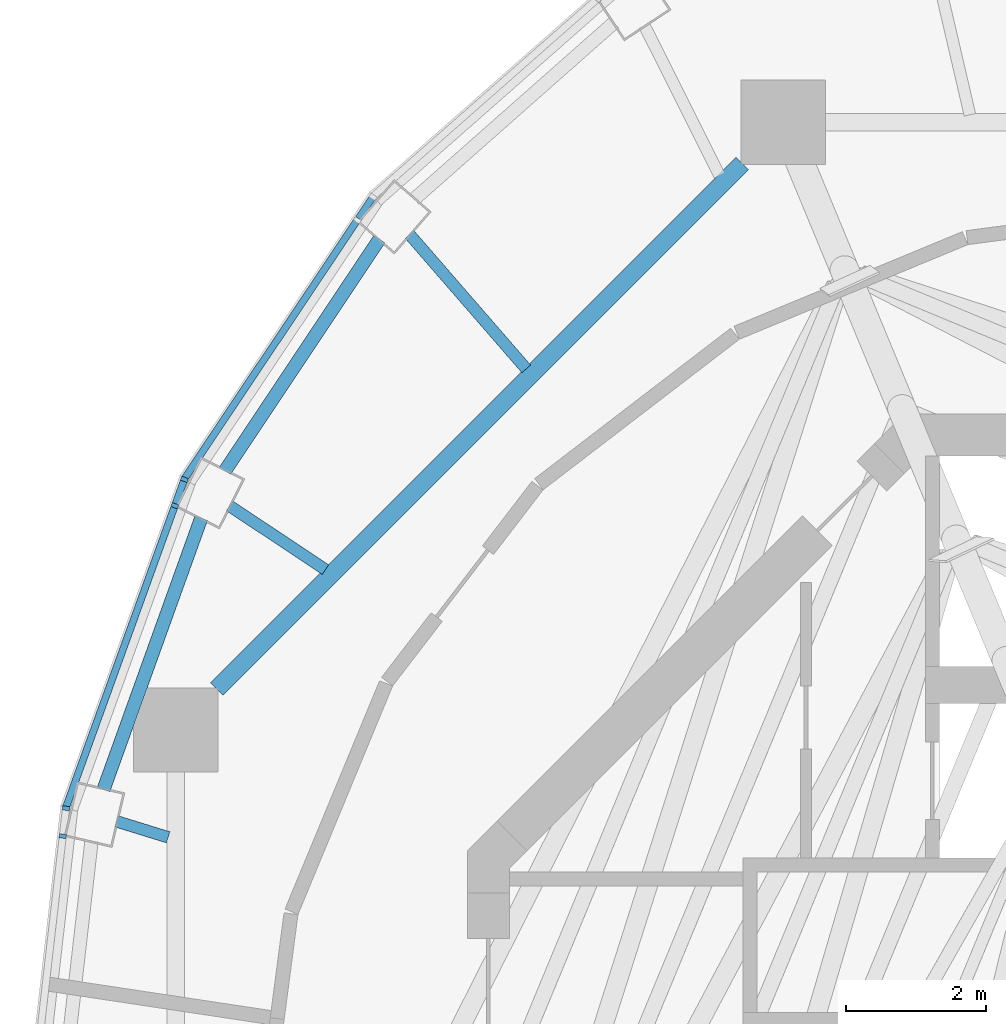
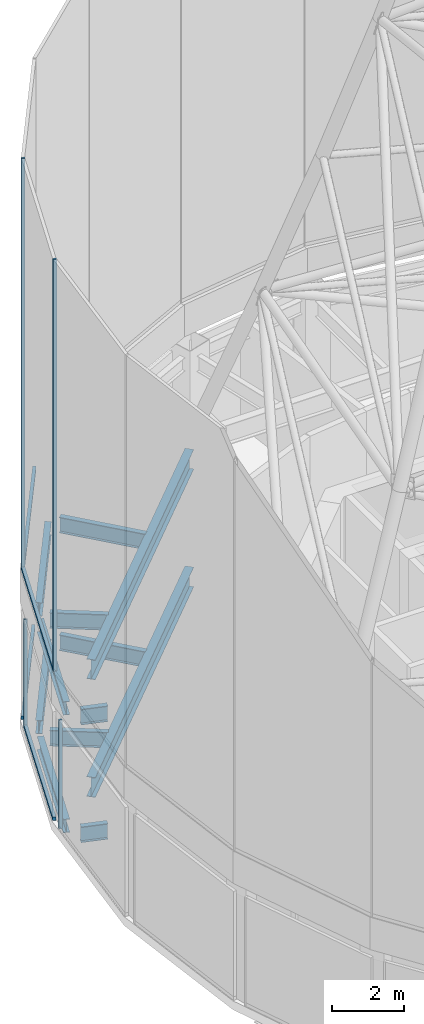
# One storey, part 11 of 25: 12 beams, 8 members, 6 elements without a shape of their own.
"""IFC4 building model written with IfcOpenShell, lengths in metres."""

from ifc_helpers import new_model, si_unit, direction, frame, origin, origin_2d, place, context, subcontext, project, spatial, rectangle, i_section, extrude, material, layer, layer_set, material_profile, profile_set, type_object, element, aggregate, save


model = new_model("IFC4")

# Units and contexts
model_context = context("Model", 3, precision=1e-05, world=origin(), true_north=direction((0.0, 1.0)))
body_context = subcontext(model_context, "Body", "Model", "MODEL_VIEW")
ifc_project = project(units=[si_unit("LENGTHUNIT", "METRE"), si_unit("AREAUNIT", "SQUARE_METRE"), si_unit("VOLUMEUNIT", "CUBIC_METRE"), si_unit("PLANEANGLEUNIT", "RADIAN"), si_unit("MASSUNIT", "GRAM", prefix="KILO")], contexts=[model_context])

# Site, building, storey
site_placement = place(None, origin())
site = spatial("IfcSite", under=ifc_project, at=site_placement, CompositionType="ELEMENT")
building_placement = place(site_placement, origin())
building = spatial("IfcBuilding", under=site, at=building_placement, Name="Nagisa Residences", CompositionType="ELEMENT")
storey_placement = place(building_placement, frame((0.0, 0.0, 340.89990234375)))
storey = spatial("IfcBuildingStorey", under=building, at=storey_placement, Name="L84", CompositionType="ELEMENT", Elevation=340.89990234375)

# Curtain wall, member
ifc_material_1 = material(Name="Aluminium curtain wall system", Category="aluminium")
ifc_layer = layer(ifc_material_1, 0.159912109375)
ifc_layer_set = layer_set([ifc_layer], Name="CW5 CURTAIN WALL")
curtain_wall_type = type_object("IfcCurtainWallType", Name="CW5 CURTAIN WALL", PredefinedType="NOTDEFINED", material=ifc_layer_set)
curtain_wall_1_placement = place(storey_placement, origin())
curtain_wall_1 = element("IfcCurtainWall", 1, at=curtain_wall_1_placement, inside=storey, type_object=curtain_wall_type, Name="cw:CW5:L84:10", PredefinedType="NOTDEFINED")
ifc_material_2 = material(Name="Aluminium", Category="aluminium")
ifc_material_profile_1 = material_profile(ifc_material_2, rectangle(XDim=0.10009765625, YDim=0.06005859375, at=origin_2d()), Name="CW5 MULLION 100x60")
ifc_profile_set_1 = profile_set([ifc_material_profile_1], Name="Aluminium")
member_type_1 = type_object("IfcMemberType", Name="CW5 MULLION 100x60", PredefinedType="MULLION", material=ifc_profile_set_1)
member_1_placement = place(storey_placement, frame((-14.793212890625, 9.318359375, 0.0), z_axis=(0.0, 0.0, 1.0), x_axis=(0.940554456033, -0.339642923136, 0.0)))
member_1 = element("IfcMember", 2, at=member_1_placement, type_object=member_type_1, Name="CW5 mullion", PredefinedType="MULLION", context=body_context, shape_type="SweptSolid", body=[
    extrude(rectangle(XDim=0.10009765625, YDim=0.06005859375, at=origin_2d()), origin(), (0.0, 0.0, 1.0), 3.7001953125),
])

curtain_wall_2_placement = place(storey_placement, origin())
curtain_wall_2 = element("IfcCurtainWall", 3, at=curtain_wall_2_placement, inside=storey, type_object=curtain_wall_type, Name="cw:CW5:L84:11", PredefinedType="NOTDEFINED")
member_2_placement = place(storey_placement, frame((-16.390380859375, 4.610595703125, 0.0), z_axis=(0.0, 0.0, 1.0), x_axis=(0.993477835048, -0.114025397474, 0.0)))
member_2 = element("IfcMember", 4, at=member_2_placement, type_object=member_type_1, Name="CW5 mullion", PredefinedType="MULLION", context=body_context, shape_type="SweptSolid", body=[
    extrude(rectangle(XDim=0.10009765625, YDim=0.06005859375, at=origin_2d()), origin(), (0.0, 0.0, 1.0), 3.7001953125),
])
aggregate(curtain_wall_2, [member_2])

curtain_wall_3_placement = place(storey_placement, origin())
curtain_wall_3 = element("IfcCurtainWall", 5, at=curtain_wall_3_placement, inside=storey, type_object=curtain_wall_type, Name="cw:CW5:L84:top0:10", PredefinedType="NOTDEFINED")
member_3_placement = place(storey_placement, frame((-14.657470703125, 9.694580078125, 5.10009765625), z_axis=(0.0, 0.0, 1.0), x_axis=(0.940554456033, -0.339642923136, 0.0)))
member_3 = element("IfcMember", 6, at=member_3_placement, type_object=member_type_1, Name="CW5 mullion", PredefinedType="MULLION", context=body_context, shape_type="SweptSolid", body=[
    extrude(rectangle(XDim=0.10009765625, YDim=0.06005859375, at=origin_2d()), origin(), (0.0, 0.0, 1.0), 14.0),
])

curtain_wall_4_placement = place(storey_placement, origin())
curtain_wall_4 = element("IfcCurtainWall", 7, at=curtain_wall_4_placement, inside=storey, type_object=curtain_wall_type, Name="cw:CW5:L84:top0:11", PredefinedType="NOTDEFINED")
member_4_placement = place(storey_placement, frame((-16.3447265625, 5.008056640625, 5.10009765625), z_axis=(0.0, 0.0, 1.0), x_axis=(0.993477835048, -0.114025397474, 0.0)))
member_4 = element("IfcMember", 8, at=member_4_placement, type_object=member_type_1, Name="CW5 mullion", PredefinedType="MULLION", context=body_context, shape_type="SweptSolid", body=[
    extrude(rectangle(XDim=0.10009765625, YDim=0.06005859375, at=origin_2d()), origin(), (0.0, 0.0, 1.0), 14.0),
])
aggregate(curtain_wall_4, [member_4])

curtain_wall_5_placement = place(storey_placement, origin())
curtain_wall_5 = element("IfcCurtainWall", 9, at=curtain_wall_5_placement, inside=storey, type_object=curtain_wall_type, Name="cw:CW5:L84:09", PredefinedType="NOTDEFINED")
ifc_material_3 = material(Name="Aluminium", Category="aluminium")
ifc_material_profile_2 = material_profile(ifc_material_3, rectangle(XDim=0.10009765625, YDim=0.1201171875, at=origin_2d()), Name="CW5 TRANSOM 100x120")
ifc_profile_set_2 = profile_set([ifc_material_profile_2], Name="Aluminium")
member_type_2 = type_object("IfcMemberType", Name="CW5 TRANSOM 100x120", PredefinedType="USERDEFINED", material=ifc_profile_set_2)
member_5_placement = place(storey_placement, frame((-12.1767578125, 13.41162109375, 0.06005859375), z_axis=(-0.556026221044, -0.831164749921, 0.0), x_axis=(0.831164749921, -0.556026221044, 0.0)))
member_5 = element("IfcMember", 10, at=member_5_placement, type_object=member_type_2, Name="CW5 transom", ObjectType="TRANSOM", PredefinedType="USERDEFINED", context=body_context, shape_type="SweptSolid", body=[
    extrude(rectangle(XDim=0.10009765625, YDim=0.1201171875, at=origin_2d()), origin(), (0.0, 0.0, 1.0), 4.458984375),
])
aggregate(curtain_wall_5, [member_5])

# Member
member_6_placement = place(storey_placement, frame((-14.782958984375, 9.3466796875, 0.06005859375), z_axis=(-0.339645767878, -0.940553428766, 0.0), x_axis=(0.940553428766, -0.339645767878, 0.0)))
member_6 = element("IfcMember", 11, at=member_6_placement, type_object=member_type_2, Name="CW5 transom", ObjectType="TRANSOM", PredefinedType="USERDEFINED", context=body_context, shape_type="SweptSolid", body=[
    extrude(rectangle(XDim=0.10009765625, YDim=0.1201171875, at=origin_2d()), origin(), (0.0, 0.0, 1.0), 4.600341796875),
])

aggregate(curtain_wall_1, [member_1, member_6])

# Curtain wall, member
curtain_wall_6_placement = place(storey_placement, origin())
curtain_wall_6 = element("IfcCurtainWall", 12, at=curtain_wall_6_placement, inside=storey, type_object=curtain_wall_type, Name="cw:CW5:L84:top0:09", PredefinedType="NOTDEFINED")
member_7_placement = place(storey_placement, frame((-11.954345703125, 13.744140625, 5.16015625), z_axis=(-0.55602135043, -0.831168008207, 0.0), x_axis=(0.831168008207, -0.55602135043, 0.0)))
member_7 = element("IfcMember", 13, at=member_7_placement, type_object=member_type_2, Name="CW5 transom", ObjectType="TRANSOM", PredefinedType="USERDEFINED", context=body_context, shape_type="SweptSolid", body=[
    extrude(rectangle(XDim=0.10009765625, YDim=0.1201171875, at=origin_2d()), origin(), (0.0, 0.0, 1.0), 4.85888671875),
])
aggregate(curtain_wall_6, [member_7])

# Member
member_8_placement = place(storey_placement, frame((-14.647216796875, 9.722900390625, 5.16015625), z_axis=(-0.339625267064, -0.940560831617, 0.0), x_axis=(0.940560831617, -0.339625267064, 0.0)))
member_8 = element("IfcMember", 14, at=member_8_placement, type_object=member_type_2, Name="CW5 transom", ObjectType="TRANSOM", PredefinedType="USERDEFINED", context=body_context, shape_type="SweptSolid", body=[
    extrude(rectangle(XDim=0.10009765625, YDim=0.1201171875, at=origin_2d()), origin(), (0.0, 0.0, 1.0), 5.000244140625),
])

aggregate(curtain_wall_3, [member_3, member_8])

# Beams
ifc_material_4 = material(Name="Steel ASTM A572 Gr 50", Category="steel")
ifc_material_profile_3 = material_profile(ifc_material_4, i_section(OverallWidth=0.2529296875, OverallDepth=0.677978515625, WebThickness=0.01171875, FlangeThickness=0.016357421875, at=origin_2d()), Name="W690x125")
ifc_profile_set_3 = profile_set([ifc_material_profile_3], Name="Steel ASTM A572 Gr 50")
beam_type_1 = type_object("IfcBeamType", Name="Inner ring beam W690x125", PredefinedType="BEAM", material=ifc_profile_set_3)
for number, where, z_axis, x_axis, name in (
    (15, (-6.708740234375, 14.1962890625, -0.638916015625), (-0.707106781187, -0.707106781187, 0.0), (0.707106781187, -0.707106781187, 0.0), "beam:L84:ib3"),
    (16, (-6.708740234375, 14.1962890625, 3.361083984375), (-0.707106781187, -0.707106781187, 0.0), (0.707106781187, -0.707106781187, 0.0), "beam:L84:rib3"),
):
    element("IfcBeam", number, at=place(storey_placement, frame(where, z_axis=z_axis, x_axis=x_axis)), inside=storey, type_object=beam_type_1, Name=name, PredefinedType="BEAM", context=body_context, shape_type="SweptSolid", body=[
        extrude(i_section(OverallWidth=0.2529296875, OverallDepth=0.677978515625, WebThickness=0.01171875, FlangeThickness=0.016357421875, at=origin_2d()), origin(), (0.0, 0.0, 1.0), 10.589111328125),
    ])
ifc_material_5 = material(Name="Steel ASTM A572 Gr 50", Category="steel")
ifc_material_profile_4 = material_profile(ifc_material_5, i_section(OverallWidth=0.18994140625, OverallDepth=0.45703125, WebThickness=0.009033203125, FlangeThickness=0.014404296875, at=origin_2d()), Name="W460x74")
ifc_profile_set_4 = profile_set([ifc_material_profile_4], Name="Steel ASTM A572 Gr 50")
beam_type_2 = type_object("IfcBeamType", Name="Perimeter ring beam W460x74", PredefinedType="BEAM", material=ifc_profile_set_4)
beam_1_placement = place(storey_placement, frame((-11.8798828125, 13.115966796875, -0.5283203125), z_axis=(-0.554529560082, -0.832164026497, 0.0), x_axis=(0.832164026497, -0.554529560082, 0.0)))
element("IfcBeam", 17, at=beam_1_placement, inside=storey, type_object=beam_type_2, Name="beam:L84:pb10", PredefinedType="BEAM", context=body_context, shape_type="SweptSolid", body=[
    extrude(i_section(OverallWidth=0.18994140625, OverallDepth=0.45703125, WebThickness=0.009033203125, FlangeThickness=0.014404296875, at=origin_2d()), origin(), (0.0, 0.0, 1.0), 3.96240234375),
])
beam_2_placement = place(storey_placement, frame((-14.4189453125, 9.1396484375, -0.5283203125), z_axis=(-0.338517252251, -0.940960185092, 0.0), x_axis=(0.940960185092, -0.338517252251, 0.0)))
element("IfcBeam", 18, at=beam_2_placement, inside=storey, type_object=beam_type_2, Name="beam:L84:pb11", PredefinedType="BEAM", context=body_context, shape_type="SweptSolid", body=[
    extrude(i_section(OverallWidth=0.18994140625, OverallDepth=0.45703125, WebThickness=0.009033203125, FlangeThickness=0.014404296875, at=origin_2d()), origin(), (0.0, 0.0, 1.0), 4.1044921875),
])
beam_3_placement = place(storey_placement, frame((-11.8798828125, 13.115966796875, 3.4716796875), z_axis=(-0.554529560082, -0.832164026497, 0.0), x_axis=(0.832164026497, -0.554529560082, 0.0)))
element("IfcBeam", 19, at=beam_3_placement, inside=storey, type_object=beam_type_2, Name="beam:L84:rpb10", PredefinedType="BEAM", context=body_context, shape_type="SweptSolid", body=[
    extrude(i_section(OverallWidth=0.18994140625, OverallDepth=0.45703125, WebThickness=0.009033203125, FlangeThickness=0.014404296875, at=origin_2d()), origin(), (0.0, 0.0, 1.0), 3.96240234375),
])
beam_4_placement = place(storey_placement, frame((-14.4189453125, 9.1396484375, 3.4716796875), z_axis=(-0.338517252251, -0.940960185092, 0.0), x_axis=(0.940960185092, -0.338517252251, 0.0)))
element("IfcBeam", 20, at=beam_4_placement, inside=storey, type_object=beam_type_2, Name="beam:L84:rpb11", PredefinedType="BEAM", context=body_context, shape_type="SweptSolid", body=[
    extrude(i_section(OverallWidth=0.18994140625, OverallDepth=0.45703125, WebThickness=0.009033203125, FlangeThickness=0.014404296875, at=origin_2d()), origin(), (0.0, 0.0, 1.0), 4.1044921875),
])
ifc_material_6 = material(Name="Steel ASTM A572 Gr 50", Category="steel")
ifc_material_profile_5 = material_profile(ifc_material_6, i_section(OverallWidth=0.166015625, OverallDepth=0.534912109375, WebThickness=0.01025390625, FlangeThickness=0.0166015625, at=origin_2d()), Name="W530x85")
ifc_profile_set_5 = profile_set([ifc_material_profile_5], Name="Steel ASTM A572 Gr 50")
beam_type_3 = type_object("IfcBeamType", Name="Radial beam W530x85", PredefinedType="BEAM", material=ifc_profile_set_5)
beam_5_placement = place(storey_placement, frame((-11.44873046875, 13.183349609375, -0.5673828125), z_axis=(0.655718438616, -0.755005516045, 0.0), x_axis=(0.755005516045, 0.655718438616, 0.0)))
element("IfcBeam", 21, at=beam_5_placement, inside=storey, type_object=beam_type_3, Name="beam:L84:rb10", PredefinedType="BEAM", context=body_context, shape_type="SweptSolid", body=[
    extrude(i_section(OverallWidth=0.166015625, OverallDepth=0.534912109375, WebThickness=0.01025390625, FlangeThickness=0.0166015625, at=origin_2d()), origin(), (0.0, 0.0, 1.0), 2.53515625),
])
beam_6_placement = place(storey_placement, frame((-14.012451171875, 9.31591796875, -0.5673828125), z_axis=(0.832714310154, -0.553702878505, 0.0), x_axis=(0.553702878505, 0.832714310154, 0.0)))
element("IfcBeam", 22, at=beam_6_placement, inside=storey, type_object=beam_type_3, Name="beam:L84:rb11", PredefinedType="BEAM", context=body_context, shape_type="SweptSolid", body=[
    extrude(i_section(OverallWidth=0.166015625, OverallDepth=0.534912109375, WebThickness=0.01025390625, FlangeThickness=0.0166015625, at=origin_2d()), origin(), (0.0, 0.0, 1.0), 1.638916015625),
])
beam_7_placement = place(storey_placement, frame((-15.62158203125, 4.820068359375, -0.5673828125), z_axis=(0.955489220567, -0.295026014753, 0.0), x_axis=(0.295026014753, 0.955489220567, 0.0)))
element("IfcBeam", 23, at=beam_7_placement, inside=storey, type_object=beam_type_3, Name="beam:L84:rb12", PredefinedType="BEAM", context=body_context, shape_type="SweptSolid", body=[
    extrude(i_section(OverallWidth=0.166015625, OverallDepth=0.534912109375, WebThickness=0.01025390625, FlangeThickness=0.0166015625, at=origin_2d()), origin(), (0.0, 0.0, 1.0), 0.766357421875),
])
beam_8_placement = place(storey_placement, frame((-11.44873046875, 13.183349609375, 3.4326171875), z_axis=(0.655718438616, -0.755005516045, 0.0), x_axis=(0.755005516045, 0.655718438616, 0.0)))
element("IfcBeam", 24, at=beam_8_placement, inside=storey, type_object=beam_type_3, Name="beam:L84:rrb10", PredefinedType="BEAM", context=body_context, shape_type="SweptSolid", body=[
    extrude(i_section(OverallWidth=0.166015625, OverallDepth=0.534912109375, WebThickness=0.01025390625, FlangeThickness=0.0166015625, at=origin_2d()), origin(), (0.0, 0.0, 1.0), 2.53515625),
])
beam_9_placement = place(storey_placement, frame((-14.012451171875, 9.31591796875, 3.4326171875), z_axis=(0.832714310154, -0.553702878505, 0.0), x_axis=(0.553702878505, 0.832714310154, 0.0)))
element("IfcBeam", 25, at=beam_9_placement, inside=storey, type_object=beam_type_3, Name="beam:L84:rrb11", PredefinedType="BEAM", context=body_context, shape_type="SweptSolid", body=[
    extrude(i_section(OverallWidth=0.166015625, OverallDepth=0.534912109375, WebThickness=0.01025390625, FlangeThickness=0.0166015625, at=origin_2d()), origin(), (0.0, 0.0, 1.0), 1.638916015625),
])
beam_10_placement = place(storey_placement, frame((-15.62158203125, 4.820068359375, 3.4326171875), z_axis=(0.955489220567, -0.295026014753, 0.0), x_axis=(0.295026014753, 0.955489220567, 0.0)))
element("IfcBeam", 26, at=beam_10_placement, inside=storey, type_object=beam_type_3, Name="beam:L84:rrb12", PredefinedType="BEAM", context=body_context, shape_type="SweptSolid", body=[
    extrude(i_section(OverallWidth=0.166015625, OverallDepth=0.534912109375, WebThickness=0.01025390625, FlangeThickness=0.0166015625, at=origin_2d()), origin(), (0.0, 0.0, 1.0), 0.766357421875),
])

save(model, "model.ifc")
